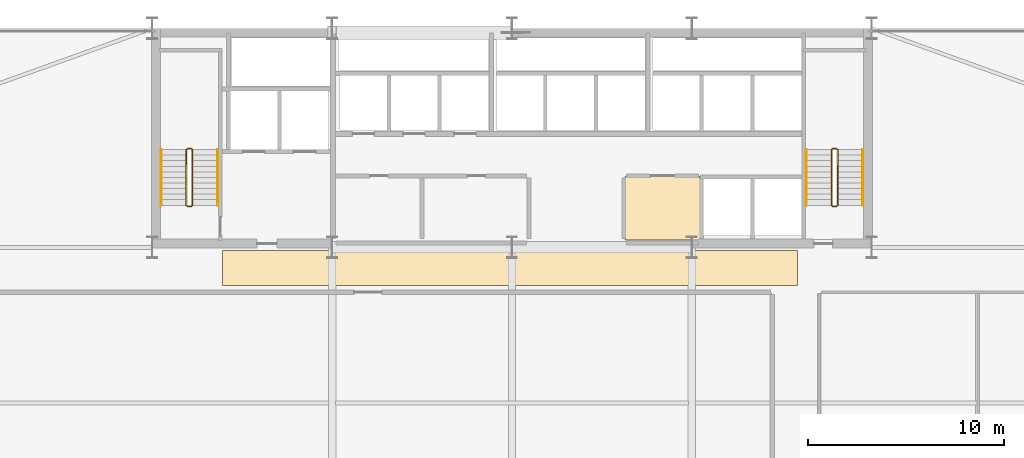
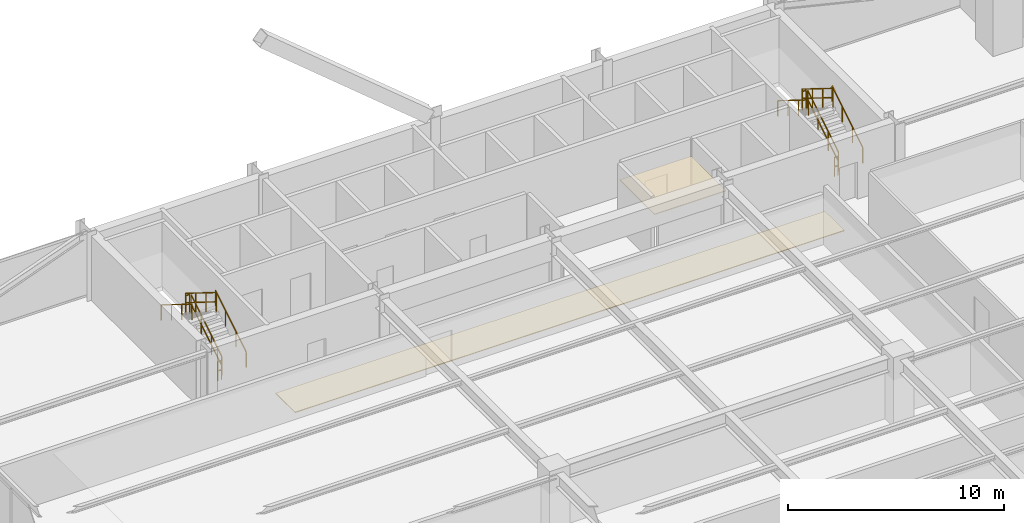
# One storey, part 34 of 34: 12 railings, 2 coverings.
"""IFC4 building model written with IfcOpenShell, lengths in metres."""

from ifc_helpers import new_model, si_unit, direction, frame, origin, origin_2d, place, context, subcontext, project, spatial, polyline, rectangle, outline, extrude, material, layer, layer_set, type_object, element, save


model = new_model("IFC4")

# Units and contexts
model_context = context("Model", 3, precision=1e-05, world=origin(), true_north=direction((0.0, 1.0)))
body_context = subcontext(model_context, "Body", "Model", "MODEL_VIEW")
ifc_project = project(units=[si_unit("LENGTHUNIT", "METRE"), si_unit("AREAUNIT", "SQUARE_METRE"), si_unit("VOLUMEUNIT", "CUBIC_METRE"), si_unit("PLANEANGLEUNIT", "RADIAN"), si_unit("MASSUNIT", "GRAM", prefix="KILO")], contexts=[model_context])

# Site, building, storey
site_placement = place(None, origin())
site = spatial("IfcSite", under=ifc_project, at=site_placement, CompositionType="ELEMENT")
building_placement = place(site_placement, origin())
building = spatial("IfcBuilding", under=site, at=building_placement, Name="Varnel Quay Broadcast Tower", CompositionType="ELEMENT")
storey_placement = place(building_placement, frame((0.0, 0.0, 47.10009765625)))
storey = spatial("IfcBuildingStorey", under=building, at=storey_placement, Name="L10", CompositionType="ELEMENT", Elevation=47.10009765625)

# Coverings
ifc_material_1 = material(Name="Micro-Perforated Acoustic Ceiling Tile")
ifc_layer_1 = layer(ifc_material_1, 0.0400390625, Name="Micro-Perforated Acoustic Ceiling Tile")
ifc_layer_set_1 = layer_set([ifc_layer_1], Name="Micro-Perforated Acoustic Ceiling Tile")
covering_type_1 = type_object("IfcCoveringType", Name="Cov_AcousticCeiling", PredefinedType="CEILING", material=ifc_layer_set_1)
covering_1_placement = place(storey_placement, frame((0.0, 0.0, 2.579833984375)))
element("IfcCovering", 1, at=covering_1_placement, inside=storey, type_object=covering_type_1, Name="L10 Electrical Sub-Distribution Closet Acoustic Ceiling", PredefinedType="CEILING", context=body_context, shape_type="SweptSolid", body=[
    extrude(outline(polyline([(39.784912109375, 35.985107421875), (43.614990234375, 35.985107421875), (43.614990234375, 39.215087890625), (39.784912109375, 39.215087890625), (39.784912109375, 35.985107421875)])), origin(), (0.0, 0.0, 1.0), 0.0400390625),
])
ifc_material_2 = material(Name="Polished Terrazzo & Broadcast Raised Flooring")
ifc_layer_2 = layer(ifc_material_2, 0.0400390625, Name="Polished Terrazzo & Broadcast Raised Flooring")
ifc_layer_set_2 = layer_set([ifc_layer_2], Name="Polished Terrazzo & Broadcast Raised Flooring")
covering_type_2 = type_object("IfcCoveringType", Name="Cov_TerrazzoFloor", PredefinedType="FLOORING", material=ifc_layer_set_2)
covering_2_placement = place(storey_placement, origin())
element("IfcCovering", 2, at=covering_2_placement, inside=storey, type_object=covering_type_2, Name="L10 Corridor Terrazzo Flooring", PredefinedType="FLOORING", context=body_context, shape_type="SweptSolid", body=[
    extrude(outline(polyline([(19.199951171875, 33.64990234375), (48.60009765625, 33.64990234375), (48.60009765625, 35.449951171875), (19.199951171875, 35.449951171875), (19.199951171875, 33.64990234375)])), origin(), (0.0, 0.0, 1.0), 0.039794921875),
])

# Railings
ifc_material_3 = material(Name="Painted Steel Guard and Handrail CSA G40.21 350W", Category="steel")
railing_type_1 = type_object("IfcRailingType", Name="Rail_StairGuard1100", PredefinedType="GUARDRAIL", material=ifc_material_3)
railing_1_placement = place(storey_placement, frame((17.64990234375, 37.75, 0.17724609375)))
element("IfcRailing", 3, at=railing_1_placement, inside=storey, type_object=railing_type_1, Name="L10 ST-01 stair guard 1", PredefinedType="GUARDRAIL", context=body_context, shape_type="SweptSolid", body=[
    extrude(rectangle(XDim=0.048095703125, YDim=0.048095703125, at=origin_2d()), frame((0.0, 0.0, 1.076171875), z_axis=(0.0, 0.849148672731, 0.528153890072), x_axis=(-1.0, 0.0, 0.0)), (0.0, 0.0, 1.0), 3.3564453125),
    extrude(rectangle(XDim=0.048095703125, YDim=0.048095703125, at=origin_2d()), frame((0.0, 0.0, 0.550048828125), z_axis=(0.0, 0.849148672731, 0.528153890072), x_axis=(-1.0, 0.0, 0.0)), (0.0, 0.0, 1.0), 3.3564453125),
    extrude(rectangle(XDim=0.0419921875, YDim=0.0419921875, at=origin_2d()), origin(), (0.0, 0.0, 1.0), 1.052001953125),
    extrude(rectangle(XDim=0.0419921875, YDim=0.0419921875, at=origin_2d()), frame((0.0, 0.949951171875, 0.5908203125)), (0.0, 0.0, 1.0), 1.052001953125),
    extrude(rectangle(XDim=0.0419921875, YDim=0.0419921875, at=origin_2d()), frame((0.0, 1.900146484375, 1.181884765625)), (0.0, 0.0, 1.0), 1.052001953125),
    extrude(rectangle(XDim=0.0419921875, YDim=0.0419921875, at=origin_2d()), frame((0.0, 2.85009765625, 1.772705078125)), (0.0, 0.0, 1.0), 1.052001953125),
])
railing_2_placement = place(storey_placement, frame((17.60009765625, 40.64990234375, 1.949951171875)))
element("IfcRailing", 4, at=railing_2_placement, inside=storey, type_object=railing_type_1, Name="L10 ST-01 stair guard 2", PredefinedType="GUARDRAIL", context=body_context, shape_type="SweptSolid", body=[
    extrude(rectangle(XDim=0.048095703125, YDim=0.048095703125, at=origin_2d()), frame((0.0, 0.0, 1.076171875), z_axis=(-1.0, 0.0, 0.0), x_axis=(0.0, -1.0, 0.0)), (0.0, 0.0, 1.0), 0.2001953125),
    extrude(rectangle(XDim=0.048095703125, YDim=0.048095703125, at=origin_2d()), frame((0.0, 0.0, 0.550048828125), z_axis=(-1.0, 0.0, 0.0), x_axis=(0.0, -1.0, 0.0)), (0.0, 0.0, 1.0), 0.2001953125),
    extrude(rectangle(XDim=0.0419921875, YDim=0.0419921875, at=origin_2d()), origin(), (0.0, 0.0, 1.0), 1.052001953125),
    extrude(rectangle(XDim=0.0419921875, YDim=0.0419921875, at=origin_2d()), frame((-0.2001953125, 0.0, 0.0)), (0.0, 0.0, 1.0), 1.052001953125),
])
railing_3_placement = place(storey_placement, frame((17.35009765625, 40.60009765625, 2.127197265625)))
element("IfcRailing", 5, at=railing_3_placement, inside=storey, type_object=railing_type_1, Name="L10 ST-01 stair guard 3", PredefinedType="GUARDRAIL", context=body_context, shape_type="SweptSolid", body=[
    extrude(rectangle(XDim=0.048095703125, YDim=0.048095703125, at=origin_2d()), frame((0.0, 0.0, 1.076171875), z_axis=(0.0, -0.849148672731, 0.528153890072), x_axis=(1.0, 0.0, 0.0)), (0.0, 0.0, 1.0), 3.3564453125),
    extrude(rectangle(XDim=0.048095703125, YDim=0.048095703125, at=origin_2d()), frame((0.0, 0.0, 0.550048828125), z_axis=(0.0, -0.849148672731, 0.528153890072), x_axis=(1.0, 0.0, 0.0)), (0.0, 0.0, 1.0), 3.3564453125),
    extrude(rectangle(XDim=0.0419921875, YDim=0.0419921875, at=origin_2d()), origin(), (0.0, 0.0, 1.0), 1.052001953125),
    extrude(rectangle(XDim=0.0419921875, YDim=0.0419921875, at=origin_2d()), frame((0.0, -0.949951171875, 0.5908203125)), (0.0, 0.0, 1.0), 1.052001953125),
    extrude(rectangle(XDim=0.0419921875, YDim=0.0419921875, at=origin_2d()), frame((0.0, -1.900146484375, 1.181884765625)), (0.0, 0.0, 1.0), 1.052001953125),
    extrude(rectangle(XDim=0.0419921875, YDim=0.0419921875, at=origin_2d()), frame((0.0, -2.85009765625, 1.772705078125)), (0.0, 0.0, 1.0), 1.052001953125),
])
railing_4_placement = place(storey_placement, frame((17.60009765625, 37.699951171875, 0.0)))
element("IfcRailing", 6, at=railing_4_placement, inside=storey, type_object=railing_type_1, Name="L10 ST-01 stair guard 4", PredefinedType="GUARDRAIL", context=body_context, shape_type="SweptSolid", body=[
    extrude(rectangle(XDim=0.048095703125, YDim=0.048095703125, at=origin_2d()), frame((0.0, 0.0, 1.076171875), z_axis=(-1.0, 0.0, 0.0), x_axis=(0.0, -1.0, 0.0)), (0.0, 0.0, 1.0), 0.2001953125),
    extrude(rectangle(XDim=0.048095703125, YDim=0.048095703125, at=origin_2d()), frame((0.0, 0.0, 0.550048828125), z_axis=(-1.0, 0.0, 0.0), x_axis=(0.0, -1.0, 0.0)), (0.0, 0.0, 1.0), 0.2001953125),
    extrude(rectangle(XDim=0.0419921875, YDim=0.0419921875, at=origin_2d()), origin(), (0.0, 0.0, 1.0), 1.052001953125),
    extrude(rectangle(XDim=0.0419921875, YDim=0.0419921875, at=origin_2d()), frame((-0.2001953125, 0.0, 0.0)), (0.0, 0.0, 1.0), 1.052001953125),
])
railing_5_placement = place(storey_placement, frame((50.64990234375, 37.75, 0.17724609375)))
element("IfcRailing", 7, at=railing_5_placement, inside=storey, type_object=railing_type_1, Name="L10 ST-02 stair guard 1", PredefinedType="GUARDRAIL", context=body_context, shape_type="SweptSolid", body=[
    extrude(rectangle(XDim=0.048095703125, YDim=0.048095703125, at=origin_2d()), frame((0.0, 0.0, 1.076171875), z_axis=(0.0, 0.849148672731, 0.528153890072), x_axis=(-1.0, 0.0, 0.0)), (0.0, 0.0, 1.0), 3.3564453125),
    extrude(rectangle(XDim=0.048095703125, YDim=0.048095703125, at=origin_2d()), frame((0.0, 0.0, 0.550048828125), z_axis=(0.0, 0.849148672731, 0.528153890072), x_axis=(-1.0, 0.0, 0.0)), (0.0, 0.0, 1.0), 3.3564453125),
    extrude(rectangle(XDim=0.0419921875, YDim=0.0419921875, at=origin_2d()), origin(), (0.0, 0.0, 1.0), 1.052001953125),
    extrude(rectangle(XDim=0.0419921875, YDim=0.0419921875, at=origin_2d()), frame((0.0, 0.949951171875, 0.5908203125)), (0.0, 0.0, 1.0), 1.052001953125),
    extrude(rectangle(XDim=0.0419921875, YDim=0.0419921875, at=origin_2d()), frame((0.0, 1.900146484375, 1.181884765625)), (0.0, 0.0, 1.0), 1.052001953125),
    extrude(rectangle(XDim=0.0419921875, YDim=0.0419921875, at=origin_2d()), frame((0.0, 2.85009765625, 1.772705078125)), (0.0, 0.0, 1.0), 1.052001953125),
])
railing_6_placement = place(storey_placement, frame((50.60009765625, 40.64990234375, 1.949951171875)))
element("IfcRailing", 8, at=railing_6_placement, inside=storey, type_object=railing_type_1, Name="L10 ST-02 stair guard 2", PredefinedType="GUARDRAIL", context=body_context, shape_type="SweptSolid", body=[
    extrude(rectangle(XDim=0.048095703125, YDim=0.048095703125, at=origin_2d()), frame((0.0, 0.0, 1.076171875), z_axis=(-1.0, 0.0, 0.0), x_axis=(0.0, -1.0, 0.0)), (0.0, 0.0, 1.0), 0.2001953125),
    extrude(rectangle(XDim=0.048095703125, YDim=0.048095703125, at=origin_2d()), frame((0.0, 0.0, 0.550048828125), z_axis=(-1.0, 0.0, 0.0), x_axis=(0.0, -1.0, 0.0)), (0.0, 0.0, 1.0), 0.2001953125),
    extrude(rectangle(XDim=0.0419921875, YDim=0.0419921875, at=origin_2d()), origin(), (0.0, 0.0, 1.0), 1.052001953125),
    extrude(rectangle(XDim=0.0419921875, YDim=0.0419921875, at=origin_2d()), frame((-0.2001953125, 0.0, 0.0)), (0.0, 0.0, 1.0), 1.052001953125),
])
railing_7_placement = place(storey_placement, frame((50.35009765625, 40.60009765625, 2.127197265625)))
element("IfcRailing", 9, at=railing_7_placement, inside=storey, type_object=railing_type_1, Name="L10 ST-02 stair guard 3", PredefinedType="GUARDRAIL", context=body_context, shape_type="SweptSolid", body=[
    extrude(rectangle(XDim=0.048095703125, YDim=0.048095703125, at=origin_2d()), frame((0.0, 0.0, 1.076171875), z_axis=(0.0, -0.849148672731, 0.528153890072), x_axis=(1.0, 0.0, 0.0)), (0.0, 0.0, 1.0), 3.3564453125),
    extrude(rectangle(XDim=0.048095703125, YDim=0.048095703125, at=origin_2d()), frame((0.0, 0.0, 0.550048828125), z_axis=(0.0, -0.849148672731, 0.528153890072), x_axis=(1.0, 0.0, 0.0)), (0.0, 0.0, 1.0), 3.3564453125),
    extrude(rectangle(XDim=0.0419921875, YDim=0.0419921875, at=origin_2d()), origin(), (0.0, 0.0, 1.0), 1.052001953125),
    extrude(rectangle(XDim=0.0419921875, YDim=0.0419921875, at=origin_2d()), frame((0.0, -0.949951171875, 0.5908203125)), (0.0, 0.0, 1.0), 1.052001953125),
    extrude(rectangle(XDim=0.0419921875, YDim=0.0419921875, at=origin_2d()), frame((0.0, -1.900146484375, 1.181884765625)), (0.0, 0.0, 1.0), 1.052001953125),
    extrude(rectangle(XDim=0.0419921875, YDim=0.0419921875, at=origin_2d()), frame((0.0, -2.85009765625, 1.772705078125)), (0.0, 0.0, 1.0), 1.052001953125),
])
railing_8_placement = place(storey_placement, frame((50.60009765625, 37.699951171875, 0.0)))
element("IfcRailing", 10, at=railing_8_placement, inside=storey, type_object=railing_type_1, Name="L10 ST-02 stair guard 4", PredefinedType="GUARDRAIL", context=body_context, shape_type="SweptSolid", body=[
    extrude(rectangle(XDim=0.048095703125, YDim=0.048095703125, at=origin_2d()), frame((0.0, 0.0, 1.076171875), z_axis=(-1.0, 0.0, 0.0), x_axis=(0.0, -1.0, 0.0)), (0.0, 0.0, 1.0), 0.2001953125),
    extrude(rectangle(XDim=0.048095703125, YDim=0.048095703125, at=origin_2d()), frame((0.0, 0.0, 0.550048828125), z_axis=(-1.0, 0.0, 0.0), x_axis=(0.0, -1.0, 0.0)), (0.0, 0.0, 1.0), 0.2001953125),
    extrude(rectangle(XDim=0.0419921875, YDim=0.0419921875, at=origin_2d()), origin(), (0.0, 0.0, 1.0), 1.052001953125),
    extrude(rectangle(XDim=0.0419921875, YDim=0.0419921875, at=origin_2d()), frame((-0.2001953125, 0.0, 0.0)), (0.0, 0.0, 1.0), 1.052001953125),
])
railing_type_2 = type_object("IfcRailingType", Name="Rail_StairHandrail900", PredefinedType="HANDRAIL", material=ifc_material_3)
railing_9_placement = place(storey_placement, frame((18.949951171875, 37.75, 0.17724609375)))
element("IfcRailing", 11, at=railing_9_placement, inside=storey, type_object=railing_type_2, Name="L10 ST-01 stair handrail 1", PredefinedType="HANDRAIL", context=body_context, shape_type="SweptSolid", body=[
    extrude(rectangle(XDim=0.048095703125, YDim=0.048095703125, at=origin_2d()), frame((0.0, 0.0, 0.8759765625), z_axis=(0.0, 0.849148672731, 0.528153890072), x_axis=(-1.0, 0.0, 0.0)), (0.0, 0.0, 1.0), 3.3564453125),
    extrude(rectangle(XDim=0.0419921875, YDim=0.0419921875, at=origin_2d()), origin(), (0.0, 0.0, 1.0), 0.851806640625),
    extrude(rectangle(XDim=0.0419921875, YDim=0.0419921875, at=origin_2d()), frame((0.0, 0.949951171875, 0.5908203125)), (0.0, 0.0, 1.0), 0.851806640625),
    extrude(rectangle(XDim=0.0419921875, YDim=0.0419921875, at=origin_2d()), frame((0.0, 1.900146484375, 1.181884765625)), (0.0, 0.0, 1.0), 0.851806640625),
    extrude(rectangle(XDim=0.0419921875, YDim=0.0419921875, at=origin_2d()), frame((0.0, 2.85009765625, 1.772705078125)), (0.0, 0.0, 1.0), 0.851806640625),
])
railing_10_placement = place(storey_placement, frame((16.050048828125, 40.60009765625, 2.127197265625)))
element("IfcRailing", 12, at=railing_10_placement, inside=storey, type_object=railing_type_2, Name="L10 ST-01 stair handrail 2", PredefinedType="HANDRAIL", context=body_context, shape_type="SweptSolid", body=[
    extrude(rectangle(XDim=0.048095703125, YDim=0.048095703125, at=origin_2d()), frame((0.0, 0.0, 0.8759765625), z_axis=(0.0, -0.849148672731, 0.528153890072), x_axis=(1.0, 0.0, 0.0)), (0.0, 0.0, 1.0), 3.3564453125),
    extrude(rectangle(XDim=0.0419921875, YDim=0.0419921875, at=origin_2d()), origin(), (0.0, 0.0, 1.0), 0.851806640625),
    extrude(rectangle(XDim=0.0419921875, YDim=0.0419921875, at=origin_2d()), frame((0.0, -0.949951171875, 0.5908203125)), (0.0, 0.0, 1.0), 0.851806640625),
    extrude(rectangle(XDim=0.0419921875, YDim=0.0419921875, at=origin_2d()), frame((0.0, -1.900146484375, 1.181884765625)), (0.0, 0.0, 1.0), 0.851806640625),
    extrude(rectangle(XDim=0.0419921875, YDim=0.0419921875, at=origin_2d()), frame((0.0, -2.85009765625, 1.772705078125)), (0.0, 0.0, 1.0), 0.851806640625),
])
railing_11_placement = place(storey_placement, frame((51.949951171875, 37.75, 0.17724609375)))
element("IfcRailing", 13, at=railing_11_placement, inside=storey, type_object=railing_type_2, Name="L10 ST-02 stair handrail 1", PredefinedType="HANDRAIL", context=body_context, shape_type="SweptSolid", body=[
    extrude(rectangle(XDim=0.048095703125, YDim=0.048095703125, at=origin_2d()), frame((0.0, 0.0, 0.8759765625), z_axis=(0.0, 0.849148672731, 0.528153890072), x_axis=(-1.0, 0.0, 0.0)), (0.0, 0.0, 1.0), 3.3564453125),
    extrude(rectangle(XDim=0.0419921875, YDim=0.0419921875, at=origin_2d()), origin(), (0.0, 0.0, 1.0), 0.851806640625),
    extrude(rectangle(XDim=0.0419921875, YDim=0.0419921875, at=origin_2d()), frame((0.0, 0.949951171875, 0.5908203125)), (0.0, 0.0, 1.0), 0.851806640625),
    extrude(rectangle(XDim=0.0419921875, YDim=0.0419921875, at=origin_2d()), frame((0.0, 1.900146484375, 1.181884765625)), (0.0, 0.0, 1.0), 0.851806640625),
    extrude(rectangle(XDim=0.0419921875, YDim=0.0419921875, at=origin_2d()), frame((0.0, 2.85009765625, 1.772705078125)), (0.0, 0.0, 1.0), 0.851806640625),
])
railing_12_placement = place(storey_placement, frame((49.050048828125, 40.60009765625, 2.127197265625)))
element("IfcRailing", 14, at=railing_12_placement, inside=storey, type_object=railing_type_2, Name="L10 ST-02 stair handrail 2", PredefinedType="HANDRAIL", context=body_context, shape_type="SweptSolid", body=[
    extrude(rectangle(XDim=0.048095703125, YDim=0.048095703125, at=origin_2d()), frame((0.0, 0.0, 0.8759765625), z_axis=(0.0, -0.849148672731, 0.528153890072), x_axis=(1.0, 0.0, 0.0)), (0.0, 0.0, 1.0), 3.3564453125),
    extrude(rectangle(XDim=0.0419921875, YDim=0.0419921875, at=origin_2d()), origin(), (0.0, 0.0, 1.0), 0.851806640625),
    extrude(rectangle(XDim=0.0419921875, YDim=0.0419921875, at=origin_2d()), frame((0.0, -0.949951171875, 0.5908203125)), (0.0, 0.0, 1.0), 0.851806640625),
    extrude(rectangle(XDim=0.0419921875, YDim=0.0419921875, at=origin_2d()), frame((0.0, -1.900146484375, 1.181884765625)), (0.0, 0.0, 1.0), 0.851806640625),
    extrude(rectangle(XDim=0.0419921875, YDim=0.0419921875, at=origin_2d()), frame((0.0, -2.85009765625, 1.772705078125)), (0.0, 0.0, 1.0), 0.851806640625),
])

save(model, "model.ifc")
